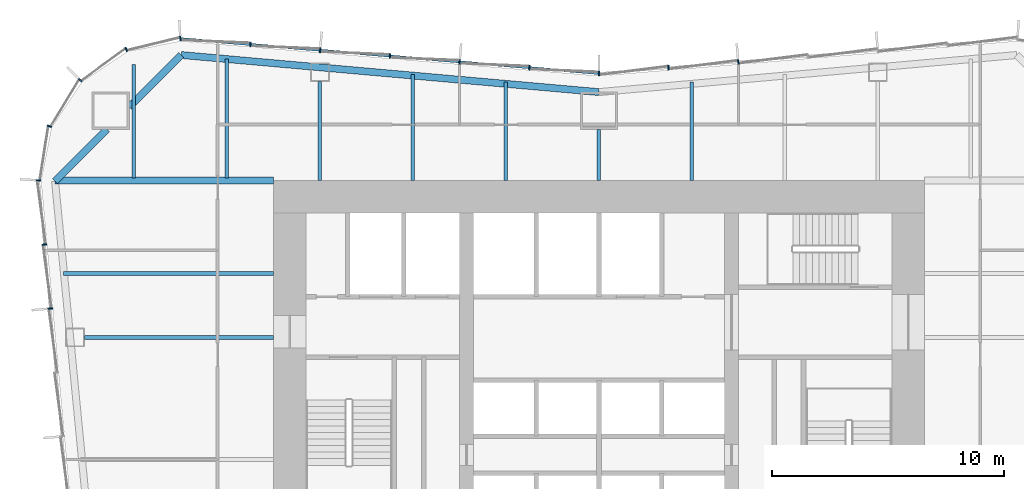
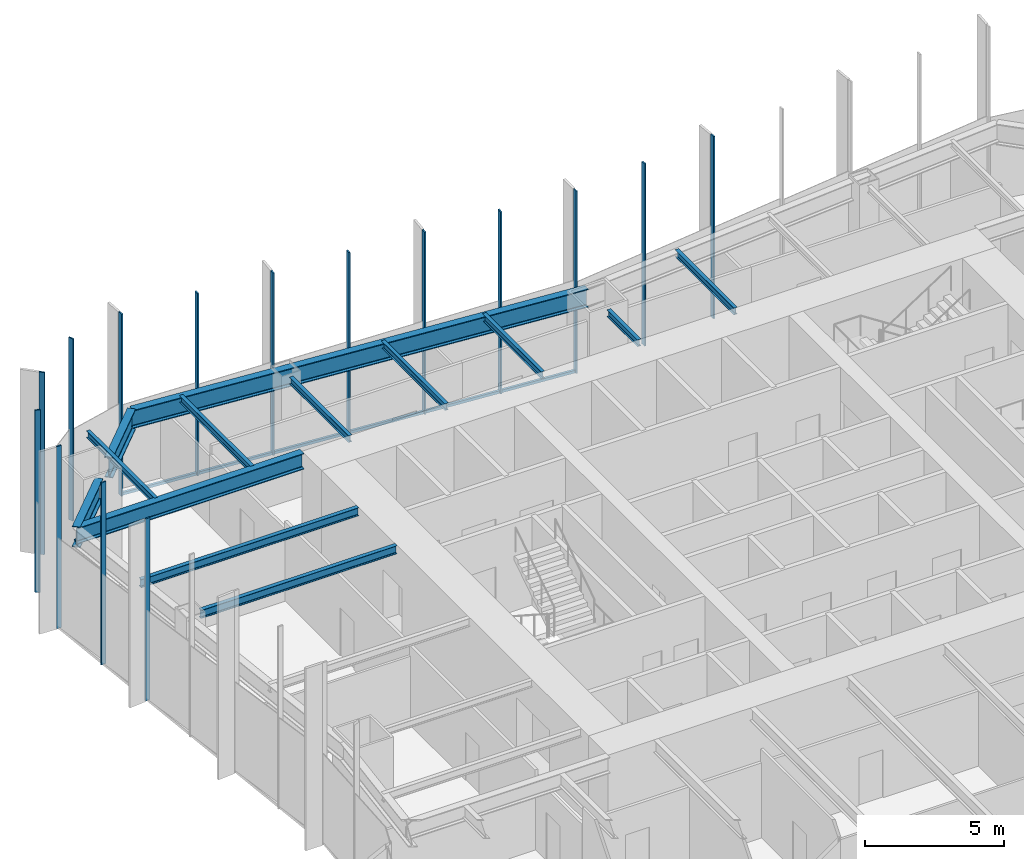
# One storey, part 6 of 13: 16 members, 13 beams, 3 elements without a shape of their own.
"""IFC4 building model written with IfcOpenShell, lengths in metres."""

import ifcopenshell
import ifcopenshell.guid

model = None  # the IFC model being written
_history = None  # IfcOwnerHistory: only IFC2X3 demands one
_inside = {}  # id of a spatial element -> (the spatial element, [elements in it])
_under = {}  # id of a project, library or spatial element -> (it, [spatial elements below it])
_declared = {}  # id of a project -> (the project, [libraries it declares])
_typed = {}  # id of a type object -> (the type object, [elements of that type])
_made_of = {}  # id of a material, layer set ... -> (it, [elements and type objects made of it])


def new_model(schema):
    """Start an empty IFC model of exactly this schema.

    Asked for "IFC4X3", IfcOpenShell would pick the latest addendum, in which some entities
    have other attributes; the version numbers below select the first issue.
    IFC2X3 requires an IfcOwnerHistory on every rooted entity: one is made here for all.
    """
    global model, _history
    if schema == "IFC4X3":
        model = ifcopenshell.file(schema_version=(4, 3, 0, 0))
    else:
        model = ifcopenshell.file(schema=schema)
    _inside.clear()
    _under.clear()
    _declared.clear()
    _typed.clear()
    _made_of.clear()
    _history = None
    if model.schema == "IFC2X3":
        org = make("IfcOrganization", Name="unknown")
        user = make(
            "IfcPersonAndOrganization",
            ThePerson=make("IfcPerson", FamilyName="unknown"),
            TheOrganization=org,
        )
        app = make(
            "IfcApplication",
            ApplicationDeveloper=org,
            Version="unknown",
            ApplicationFullName="unknown",
            ApplicationIdentifier="unknown",
        )
        _history = make(
            "IfcOwnerHistory",
            OwningUser=user,
            OwningApplication=app,
            ChangeAction="ADDED",
            CreationDate=0,
        )
    return model


def make(cls, **values):
    """One entity of the class cls with the attributes given. An attribute that is None is left unset."""
    return model.create_entity(
        cls, **{name: value for name, value in values.items() if value is not None}
    )


def rooted(cls, **values):
    """An entity with a GlobalId (a new one), such as an element, a storey or a relation."""
    return make(cls, GlobalId=ifcopenshell.guid.new(), OwnerHistory=_history, **values)


def si_unit(unit_type, name, prefix=None):
    """IfcSIUnit, for example si_unit("LENGTHUNIT", "METRE", prefix="MILLI")."""
    return make("IfcSIUnit", UnitType=unit_type, Prefix=prefix, Name=name)


def assignment(units):
    """IfcUnitAssignment: the units of a project."""
    return None if units is None else make("IfcUnitAssignment", Units=units)


def point(xyz):
    """IfcCartesianPoint."""
    return None if xyz is None else make("IfcCartesianPoint", Coordinates=xyz)


def direction(xyz):
    """IfcDirection."""
    return None if xyz is None else make("IfcDirection", DirectionRatios=xyz)


def frame(location, z_axis=None, x_axis=None):
    """IfcAxis2Placement3D, a coordinate frame: its origin and axes. An axis left out is left unset."""
    return make(
        "IfcAxis2Placement3D",
        Location=point(location),
        Axis=direction(z_axis),
        RefDirection=direction(x_axis),
    )


def frame_2d(location, x_axis=None):
    """IfcAxis2Placement2D, a coordinate frame in the plane: its origin and x axis."""
    return make(
        "IfcAxis2Placement2D", Location=point(location), RefDirection=direction(x_axis)
    )


def origin():
    """The frame at (0, 0, 0) with its axes left unset."""
    return frame((0.0, 0.0, 0.0))


def origin_2d():
    """The frame at (0, 0) in the plane with its x axis left unset."""
    return frame_2d((0.0, 0.0))


def place(relative_to, where):
    """IfcLocalPlacement: puts the frame where relative to a parent placement (None: the world)."""
    return make(
        "IfcLocalPlacement", PlacementRelTo=relative_to, RelativePlacement=where
    )


def context(
    kind, dimensions, precision=None, world=None, true_north=None, identifier=None
):
    """IfcGeometricRepresentationContext, for example the 3D "Model" context."""
    return make(
        "IfcGeometricRepresentationContext",
        ContextIdentifier=identifier,
        ContextType=kind,
        CoordinateSpaceDimension=dimensions,
        Precision=precision,
        WorldCoordinateSystem=world,
        TrueNorth=true_north,
    )


def subcontext(parent, identifier, kind, view, scale=None):
    """IfcGeometricRepresentationSubContext, for example "Body" below "Model"."""
    return make(
        "IfcGeometricRepresentationSubContext",
        ContextIdentifier=identifier,
        ContextType=kind,
        ParentContext=parent,
        TargetScale=scale,
        TargetView=view,
    )


def project(units=None, contexts=None):
    """IfcProject with its units and contexts."""
    return rooted(
        "IfcProject",
        Name="project",
        RepresentationContexts=contexts,
        UnitsInContext=assignment(units),
    )


def spatial(cls, under=None, at=None, **own):
    """A site, building, storey or space (cls), placed at a placement, below another one or the project."""
    s = rooted(cls, ObjectPlacement=at, **own)
    if under is not None:
        _under.setdefault(under.id(), (under, []))[1].append(s)
    return s


def profile(cls, at=None, kind="AREA", **sizes):
    """A parametric profile (cls). Its sizes go by their IFC names, for example OverallWidth=200.0."""
    return make(cls, ProfileType=kind, Position=at, **sizes)


def rectangle(**sizes):
    """IfcRectangleProfileDef."""
    return profile("IfcRectangleProfileDef", **sizes)


def i_section(**sizes):
    """IfcIShapeProfileDef."""
    return profile("IfcIShapeProfileDef", **sizes)


def extrude(swept, where, along, depth):
    """IfcExtrudedAreaSolid: the profile swept, set in the frame where, extruded along a direction by depth."""
    return make(
        "IfcExtrudedAreaSolid",
        SweptArea=swept,
        Position=where,
        ExtrudedDirection=direction(along),
        Depth=depth,
    )


def shape(context_of_items, identifier, shape_type, items):
    """IfcShapeRepresentation: the items that make up one representation, for example the "Body"."""
    return make(
        "IfcShapeRepresentation",
        ContextOfItems=context_of_items,
        RepresentationIdentifier=identifier,
        RepresentationType=shape_type,
        Items=items,
    )


def material(Name=None, Category=None):
    """IfcMaterial."""
    return make("IfcMaterial", Name=Name, Category=Category)


def material_profile(
    of_material, cross_section, Name=None, Category=None, Priority=None
):
    """IfcMaterialProfile: a cross section and its material."""
    return make(
        "IfcMaterialProfile",
        Name=Name,
        Material=of_material,
        Profile=cross_section,
        Priority=Priority,
        Category=Category,
    )


def profile_set(profiles, Name=None, composite=None):
    """IfcMaterialProfileSet."""
    return make(
        "IfcMaterialProfileSet",
        Name=Name,
        MaterialProfiles=profiles,
        CompositeProfile=composite,
    )


def made_of(thing, what):
    """Note that an element or type object is made of a material, layer set ...; save() writes the relation."""
    if what is not None:
        _made_of.setdefault(what.id(), (what, []))[1].append(thing)
    return thing


def type_object(cls, material=None, **own):
    """A type object (cls), such as IfcWallType, which elements share."""
    return made_of(rooted(cls, **own), material)


def element(
    cls,
    number,
    at=None,
    inside=None,
    cuts=None,
    type_object=None,
    material=None,
    context=None,
    identifier="Body",
    shape_type=None,
    held_by="IfcProductDefinitionShape",
    body=None,
    shapes=None,
    **own,
):
    """One element of the class cls, such as IfcWall. Its Tag is "e" and its number.

    at: its placement. inside: the storey or other place that contains it. cuts: it is an
    opening in that element (IfcRelVoidsElement). A single representation is given by context,
    identifier, shape_type and body (its items); several are given by shapes. held_by: the class
    of the entity that holds the representations. save() writes the other relations.
    """
    e = rooted(cls, Tag="e%d" % number, ObjectPlacement=at, **own)
    if body is not None:
        shapes = [shape(context, identifier, shape_type, body)]
    if shapes is not None:
        e.Representation = make(held_by, Representations=shapes)
    if inside is not None:
        _inside.setdefault(inside.id(), (inside, []))[1].append(e)
    if cuts is not None:
        rooted(
            "IfcRelVoidsElement", RelatingBuildingElement=cuts, RelatedOpeningElement=e
        )
    if type_object is not None:
        _typed.setdefault(type_object.id(), (type_object, []))[1].append(e)
    return made_of(e, material)


def aggregate(whole, parts):
    """IfcRelAggregates: a whole, such as a stair, and the parts it consists of."""
    return rooted("IfcRelAggregates", RelatingObject=whole, RelatedObjects=parts)


def save(model, path):
    """Write the relations noted so far, then the file.

    IfcRelAggregates (storeys below a building ...), IfcRelContainedInSpatialStructure (elements
    in a storey), IfcRelDefinesByType, IfcRelAssociatesMaterial and IfcRelDeclares: one each for
    every whole, place, type object, material and project.
    """
    for whole, parts in _under.values():
        aggregate(whole, parts)
    for where, things in _inside.values():
        rooted(
            "IfcRelContainedInSpatialStructure",
            RelatedElements=things,
            RelatingStructure=where,
        )
    for kind, things in _typed.values():
        rooted("IfcRelDefinesByType", RelatedObjects=things, RelatingType=kind)
    for what, things in _made_of.values():
        rooted("IfcRelAssociatesMaterial", RelatedObjects=things, RelatingMaterial=what)
    for by, libraries in _declared.values():
        rooted("IfcRelDeclares", RelatingContext=by, RelatedDefinitions=libraries)
    model.write(path)


model = new_model("IFC4")

# Units and contexts
model_context = context("Model", 3, precision=1e-05, world=origin(), true_north=direction((0.0, 1.0)))
body_context = subcontext(model_context, "Body", "Model", "MODEL_VIEW")
ifc_project = project(units=[si_unit("LENGTHUNIT", "METRE"), si_unit("AREAUNIT", "SQUARE_METRE"), si_unit("VOLUMEUNIT", "CUBIC_METRE"), si_unit("PLANEANGLEUNIT", "RADIAN"), si_unit("MASSUNIT", "GRAM", prefix="KILO")], contexts=[model_context])

# Site, building, storey
site_placement = place(None, origin())
site = spatial("IfcSite", under=ifc_project, at=site_placement, CompositionType="ELEMENT")
building_placement = place(site_placement, origin())
building = spatial("IfcBuilding", under=site, at=building_placement, Name="Verdant Reach Tower", CompositionType="ELEMENT")
storey_placement = place(building_placement, frame((0.0, 0.0, 50.0)))
storey = spatial("IfcBuildingStorey", under=building, at=storey_placement, Name="L11", CompositionType="ELEMENT", Elevation=50.0)

# Curtain wall, members
ifc_material_1 = material(Name="Anodised aluminium", Category="aluminium")
curtain_wall_type = type_object("IfcCurtainWallType", Name="EN-CW SYSTEM Z0", PredefinedType="NOTDEFINED", material=ifc_material_1)
curtain_wall_1_placement = place(storey_placement, origin())
curtain_wall_1 = element("IfcCurtainWall", 1, at=curtain_wall_1_placement, inside=storey, type_object=curtain_wall_type, Name="Curtain wall north, L11", PredefinedType="NOTDEFINED")
ifc_material_profile_1 = material_profile(ifc_material_1, rectangle(XDim=0.199951171875, YDim=0.06005859375, at=origin_2d()), Name="Mullion 60x200")
ifc_profile_set_1 = profile_set([ifc_material_profile_1], Name="Anodised aluminium")
member_type_1 = type_object("IfcMemberType", Name="EN-MULLION Z0", PredefinedType="MULLION", material=ifc_profile_set_1)
member_1_placement = place(storey_placement, frame((5.99169921875, 44.099609375, -0.35009765625), z_axis=(0.0, 0.0, 1.0), x_axis=(-0.083045479859, 0.996545758244, 0.0)))
member_1 = element("IfcMember", 2, at=member_1_placement, type_object=member_type_1, Name="Mullion north face part 1 5, L11", PredefinedType="MULLION", context=body_context, shape_type="SweptSolid", body=[
    extrude(rectangle(XDim=0.199951171875, YDim=0.06005859375, at=origin_2d()), origin(), (0.0, 0.0, 1.0), 8.0),
])
member_2_placement = place(storey_placement, frame((2.99169921875, 43.849609375, -0.35009765625), z_axis=(0.0, 0.0, 1.0), x_axis=(-0.083045479859, 0.996545758244, 0.0)))
member_2 = element("IfcMember", 3, at=member_2_placement, type_object=member_type_1, Name="Mullion north face part 1 6, L11", PredefinedType="MULLION", context=body_context, shape_type="SweptSolid", body=[
    extrude(rectangle(XDim=0.199951171875, YDim=0.06005859375, at=origin_2d()), origin(), (0.0, 0.0, 1.0), 8.0),
])
member_3_placement = place(storey_placement, frame((0.0, 43.60009765625, -0.35009765625), z_axis=(0.0, 0.0, 1.0), x_axis=(0.0, 1.0, 0.0)))
member_3 = element("IfcMember", 4, at=member_3_placement, type_object=member_type_1, Name="Mullion north face part 2 1, L11", PredefinedType="MULLION", context=body_context, shape_type="SweptSolid", body=[
    extrude(rectangle(XDim=0.199951171875, YDim=0.06005859375, at=origin_2d()), origin(), (0.0, 0.0, 1.0), 8.0),
])
member_4_placement = place(storey_placement, frame((-2.99169921875, 43.849609375, -0.35009765625), z_axis=(0.0, 0.0, 1.0), x_axis=(0.083045479859, 0.996545758244, 0.0)))
member_4 = element("IfcMember", 5, at=member_4_placement, type_object=member_type_1, Name="Mullion north face part 2 2, L11", PredefinedType="MULLION", context=body_context, shape_type="SweptSolid", body=[
    extrude(rectangle(XDim=0.199951171875, YDim=0.06005859375, at=origin_2d()), origin(), (0.0, 0.0, 1.0), 8.0),
])
member_5_placement = place(storey_placement, frame((-5.99169921875, 44.099609375, -0.35009765625), z_axis=(0.0, 0.0, 1.0), x_axis=(0.083045479859, 0.996545758244, 0.0)))
member_5 = element("IfcMember", 6, at=member_5_placement, type_object=member_type_1, Name="Mullion north face part 2 3, L11", PredefinedType="MULLION", context=body_context, shape_type="SweptSolid", body=[
    extrude(rectangle(XDim=0.199951171875, YDim=0.06005859375, at=origin_2d()), origin(), (0.0, 0.0, 1.0), 8.0),
])
member_6_placement = place(storey_placement, frame((-8.99169921875, 44.349609375, -0.35009765625), z_axis=(0.0, 0.0, 1.0), x_axis=(0.083045479859, 0.996545758244, 0.0)))
member_6 = element("IfcMember", 7, at=member_6_placement, type_object=member_type_1, Name="Mullion north face part 2 4, L11", PredefinedType="MULLION", context=body_context, shape_type="SweptSolid", body=[
    extrude(rectangle(XDim=0.199951171875, YDim=0.06005859375, at=origin_2d()), origin(), (0.0, 0.0, 1.0), 8.0),
])
member_7_placement = place(storey_placement, frame((-11.99169921875, 44.599609375, -0.35009765625), z_axis=(0.0, 0.0, 1.0), x_axis=(0.083045479859, 0.996545758244, 0.0)))
member_7 = element("IfcMember", 8, at=member_7_placement, type_object=member_type_1, Name="Mullion north face part 2 5, L11", PredefinedType="MULLION", context=body_context, shape_type="SweptSolid", body=[
    extrude(rectangle(XDim=0.199951171875, YDim=0.06005859375, at=origin_2d()), origin(), (0.0, 0.0, 1.0), 8.0),
])
member_8_placement = place(storey_placement, frame((-14.99169921875, 44.849609375, -0.35009765625), z_axis=(0.0, 0.0, 1.0), x_axis=(0.083045479859, 0.996545758244, 0.0)))
member_8 = element("IfcMember", 9, at=member_8_placement, type_object=member_type_1, Name="Mullion north face part 2 6, L11", PredefinedType="MULLION", context=body_context, shape_type="SweptSolid", body=[
    extrude(rectangle(XDim=0.199951171875, YDim=0.06005859375, at=origin_2d()), origin(), (0.0, 0.0, 1.0), 8.0),
])

curtain_wall_2_placement = place(storey_placement, origin())
curtain_wall_2 = element("IfcCurtainWall", 10, at=curtain_wall_2_placement, inside=storey, type_object=curtain_wall_type, Name="Curtain wall north-west corner, L11", PredefinedType="NOTDEFINED")
member_9_placement = place(storey_placement, frame((-18.005615234375, 45.099853515625, -0.35009765625), z_axis=(0.0, 0.0, 1.0), x_axis=(-0.056569187765, 0.998398681387, 0.0)))
member_9 = element("IfcMember", 11, at=member_9_placement, type_object=member_type_1, Name="Mullion north-west corner 1, L11", PredefinedType="MULLION", context=body_context, shape_type="SweptSolid", body=[
    extrude(rectangle(XDim=0.199951171875, YDim=0.06005859375, at=origin_2d()), origin(), (0.0, 0.0, 1.0), 8.0),
])
member_10_placement = place(storey_placement, frame((-20.33447265625, 44.6357421875, -0.35009765625), z_axis=(0.0, 0.0, 1.0), x_axis=(-0.382693853776, 0.923875215753, 0.0)))
member_10 = element("IfcMember", 12, at=member_10_placement, type_object=member_type_1, Name="Mullion north-west corner 2, L11", PredefinedType="MULLION", context=body_context, shape_type="SweptSolid", body=[
    extrude(rectangle(XDim=0.199951171875, YDim=0.06005859375, at=origin_2d()), origin(), (0.0, 0.0, 1.0), 8.0),
])
member_11_placement = place(storey_placement, frame((-22.313232421875, 43.313232421875, -0.35009765625), z_axis=(0.0, 0.0, 1.0), x_axis=(-0.707106781187, 0.707106781187, 0.0)))
member_11 = element("IfcMember", 13, at=member_11_placement, type_object=member_type_1, Name="Mullion north-west corner 3, L11", PredefinedType="MULLION", context=body_context, shape_type="SweptSolid", body=[
    extrude(rectangle(XDim=0.199951171875, YDim=0.06005859375, at=origin_2d()), origin(), (0.0, 0.0, 1.0), 8.0),
])
member_12_placement = place(storey_placement, frame((-23.6357421875, 41.33447265625, -0.35009765625), z_axis=(0.0, 0.0, 1.0), x_axis=(-0.923875215753, 0.382693853776, 0.0)))
member_12 = element("IfcMember", 14, at=member_12_placement, type_object=member_type_1, Name="Mullion north-west corner 4, L11", PredefinedType="MULLION", context=body_context, shape_type="SweptSolid", body=[
    extrude(rectangle(XDim=0.199951171875, YDim=0.06005859375, at=origin_2d()), origin(), (0.0, 0.0, 1.0), 8.0),
])
aggregate(curtain_wall_2, [member_9, member_10, member_11, member_12])

curtain_wall_3_placement = place(storey_placement, origin())
curtain_wall_3 = element("IfcCurtainWall", 15, at=curtain_wall_3_placement, inside=storey, type_object=curtain_wall_type, Name="Curtain wall west, L11", PredefinedType="NOTDEFINED")
member_13_placement = place(storey_placement, frame((-24.099853515625, 39.00537109375, -0.35009765625), z_axis=(0.0, 0.0, 1.0), x_axis=(-0.998604288049, 0.052815489107, 0.0)))
member_13 = element("IfcMember", 16, at=member_13_placement, type_object=member_type_1, Name="Mullion west face part 1 1, L11", PredefinedType="MULLION", context=body_context, shape_type="SweptSolid", body=[
    extrude(rectangle(XDim=0.199951171875, YDim=0.06005859375, at=origin_2d()), origin(), (0.0, 0.0, 1.0), 8.0),
])
member_14_placement = place(storey_placement, frame((-23.849609375, 36.240966796875, -0.35009765625), z_axis=(0.0, 0.0, 1.0), x_axis=(-0.995893206467, -0.090535746047, 0.0)))
member_14 = element("IfcMember", 17, at=member_14_placement, type_object=member_type_1, Name="Mullion west face part 1 2, L11", PredefinedType="MULLION", context=body_context, shape_type="SweptSolid", body=[
    extrude(rectangle(XDim=0.199951171875, YDim=0.06005859375, at=origin_2d()), origin(), (0.0, 0.0, 1.0), 8.0),
])
member_15_placement = place(storey_placement, frame((-23.599609375, 33.490966796875, -0.35009765625), z_axis=(0.0, 0.0, 1.0), x_axis=(-0.995893206467, -0.090535746047, 0.0)))
member_15 = element("IfcMember", 18, at=member_15_placement, type_object=member_type_1, Name="Mullion west face part 1 3, L11", PredefinedType="MULLION", context=body_context, shape_type="SweptSolid", body=[
    extrude(rectangle(XDim=0.199951171875, YDim=0.06005859375, at=origin_2d()), origin(), (0.0, 0.0, 1.0), 8.0),
])
aggregate(curtain_wall_3, [member_13, member_14, member_15])

# Member
ifc_material_profile_2 = material_profile(ifc_material_1, rectangle(XDim=0.10009765625, YDim=0.1201171875, at=origin_2d()), Name="Transom 120x100")
ifc_profile_set_2 = profile_set([ifc_material_profile_2], Name="Anodised aluminium")
member_type_2 = type_object("IfcMemberType", Name="EN-TRANSOM Z0", PredefinedType="USERDEFINED", material=ifc_profile_set_2)
member_16_placement = place(storey_placement, frame((-0.02978515625, 43.6025390625, -0.2900390625), z_axis=(-0.996548656072, 0.083010698588, 0.0), x_axis=(-0.083010698588, -0.996548656072, 0.0)))
member_16 = element("IfcMember", 19, at=member_16_placement, type_object=member_type_2, Name="Transom north face part 2 1.1, L11", ObjectType="TRANSOM", PredefinedType="USERDEFINED", context=body_context, shape_type="SweptSolid", body=[
    extrude(rectangle(XDim=0.10009765625, YDim=0.1201171875, at=origin_2d()), origin(), (0.0, 0.0, 1.0), 18.00830078125),
])

aggregate(curtain_wall_1, [member_1, member_2, member_3, member_4, member_5, member_6, member_7, member_8, member_16])

# Beams
ifc_material_2 = material(Name="Steel S355", Category="steel")
ifc_material_profile_3 = material_profile(ifc_material_2, i_section(OverallWidth=0.300048828125, OverallDepth=0.699951171875, WebThickness=0.01708984375, FlangeThickness=0.031982421875, FilletRadius=0.027099609375, at=origin_2d()), Name="HEB 700")
ifc_profile_set_3 = profile_set([ifc_material_profile_3], Name="Steel S355")
beam_type_1 = type_object("IfcBeamType", Name="ST-BEAM-HEB700", PredefinedType="BEAM", material=ifc_profile_set_3)
beam_1_placement = place(storey_placement, frame((-14.0, 39.0, 3.52001953125), z_axis=(-1.0, 0.0, 0.0), x_axis=(0.0, -1.0, 0.0)))
element("IfcBeam", 20, at=beam_1_placement, inside=storey, type_object=beam_type_1, Name="Trimmer beam, L11", PredefinedType="BEAM", context=body_context, shape_type="SweptSolid", body=[
    extrude(i_section(OverallWidth=0.300048828125, OverallDepth=0.699951171875, WebThickness=0.01708984375, FlangeThickness=0.031982421875, FilletRadius=0.027099609375, at=origin_2d()), origin(), (0.0, 0.0, 1.0), 9.38818359375),
])
ifc_material_profile_4 = material_profile(ifc_material_2, i_section(OverallWidth=0.14990234375, OverallDepth=0.300048828125, WebThickness=0.007080078125, FlangeThickness=0.0107421875, FilletRadius=0.014892578125, at=origin_2d()), Name="IPE 300")
ifc_profile_set_4 = profile_set([ifc_material_profile_4], Name="Steel S355")
beam_type_2 = type_object("IfcBeamType", Name="ST-JOIST-IPE300", PredefinedType="JOIST", material=ifc_profile_set_4)
beam_2_placement = place(storey_placement, frame((-20.0, 39.10009765625, 3.719970703125), z_axis=(0.0, 1.0, 0.0), x_axis=(-1.0, 0.0, 0.0)))
element("IfcBeam", 21, at=beam_2_placement, inside=storey, type_object=beam_type_2, Name="Floor joist, L11", PredefinedType="JOIST", context=body_context, shape_type="SweptSolid", body=[
    extrude(i_section(OverallWidth=0.14990234375, OverallDepth=0.300048828125, WebThickness=0.007080078125, FlangeThickness=0.0107421875, FilletRadius=0.014892578125, at=origin_2d()), origin(), (0.0, 0.0, 1.0), 4.890380859375),
])
beam_3_placement = place(storey_placement, frame((-16.0, 39.10009765625, 3.719970703125), z_axis=(0.0, 1.0, 0.0), x_axis=(-1.0, 0.0, 0.0)))
element("IfcBeam", 22, at=beam_3_placement, inside=storey, type_object=beam_type_2, Name="Floor joist, L11", PredefinedType="JOIST", context=body_context, shape_type="SweptSolid", body=[
    extrude(i_section(OverallWidth=0.14990234375, OverallDepth=0.300048828125, WebThickness=0.007080078125, FlangeThickness=0.0107421875, FilletRadius=0.014892578125, at=origin_2d()), origin(), (0.0, 0.0, 1.0), 5.131103515625),
])
beam_4_placement = place(storey_placement, frame((-12.0, 39.0, 3.719970703125), z_axis=(0.0, 1.0, 0.0), x_axis=(-1.0, 0.0, 0.0)))
element("IfcBeam", 23, at=beam_4_placement, inside=storey, type_object=beam_type_2, Name="Floor joist, L11", PredefinedType="JOIST", context=body_context, shape_type="SweptSolid", body=[
    extrude(i_section(OverallWidth=0.14990234375, OverallDepth=0.300048828125, WebThickness=0.007080078125, FlangeThickness=0.0107421875, FilletRadius=0.014892578125, at=origin_2d()), origin(), (0.0, 0.0, 1.0), 4.25),
])
beam_5_placement = place(storey_placement, frame((-8.0, 39.0, 3.719970703125), z_axis=(0.0, 1.0, 0.0), x_axis=(-1.0, 0.0, 0.0)))
element("IfcBeam", 24, at=beam_5_placement, inside=storey, type_object=beam_type_2, Name="Floor joist, L11", PredefinedType="JOIST", context=body_context, shape_type="SweptSolid", body=[
    extrude(i_section(OverallWidth=0.14990234375, OverallDepth=0.300048828125, WebThickness=0.007080078125, FlangeThickness=0.0107421875, FilletRadius=0.014892578125, at=origin_2d()), origin(), (0.0, 0.0, 1.0), 4.564697265625),
])
beam_6_placement = place(storey_placement, frame((-4.0, 39.0, 3.719970703125), z_axis=(0.0, 1.0, 0.0), x_axis=(-1.0, 0.0, 0.0)))
element("IfcBeam", 25, at=beam_6_placement, inside=storey, type_object=beam_type_2, Name="Floor joist, L11", PredefinedType="JOIST", context=body_context, shape_type="SweptSolid", body=[
    extrude(i_section(OverallWidth=0.14990234375, OverallDepth=0.300048828125, WebThickness=0.007080078125, FlangeThickness=0.0107421875, FilletRadius=0.014892578125, at=origin_2d()), origin(), (0.0, 0.0, 1.0), 4.231201171875),
])
beam_7_placement = place(storey_placement, frame((0.0, 39.0, 3.719970703125), z_axis=(0.0, 1.0, 0.0), x_axis=(-1.0, 0.0, 0.0)))
element("IfcBeam", 26, at=beam_7_placement, inside=storey, type_object=beam_type_2, Name="Floor joist, L11", PredefinedType="JOIST", context=body_context, shape_type="SweptSolid", body=[
    extrude(i_section(OverallWidth=0.14990234375, OverallDepth=0.300048828125, WebThickness=0.007080078125, FlangeThickness=0.0107421875, FilletRadius=0.014892578125, at=origin_2d()), origin(), (0.0, 0.0, 1.0), 2.199951171875),
])
beam_8_placement = place(storey_placement, frame((4.0, 39.0, 3.719970703125), z_axis=(0.0, 1.0, 0.0), x_axis=(-1.0, 0.0, 0.0)))
element("IfcBeam", 27, at=beam_8_placement, inside=storey, type_object=beam_type_2, Name="Floor joist, L11", PredefinedType="JOIST", context=body_context, shape_type="SweptSolid", body=[
    extrude(i_section(OverallWidth=0.14990234375, OverallDepth=0.300048828125, WebThickness=0.007080078125, FlangeThickness=0.0107421875, FilletRadius=0.014892578125, at=origin_2d()), origin(), (0.0, 0.0, 1.0), 4.231201171875),
])
ifc_material_profile_5 = material_profile(ifc_material_2, i_section(OverallWidth=0.169921875, OverallDepth=0.360107421875, WebThickness=0.008056640625, FlangeThickness=0.0126953125, FilletRadius=0.01806640625, at=origin_2d()), Name="IPE 360")
ifc_profile_set_5 = profile_set([ifc_material_profile_5], Name="Steel S355")
beam_type_3 = type_object("IfcBeamType", Name="ST-JOIST-IPE360", PredefinedType="JOIST", material=ifc_profile_set_5)
beam_9_placement = place(storey_placement, frame((-14.0, 32.25, 3.68994140625), z_axis=(-1.0, 0.0, 0.0), x_axis=(0.0, -1.0, 0.0)))
element("IfcBeam", 28, at=beam_9_placement, inside=storey, type_object=beam_type_3, Name="Floor joist, L11", PredefinedType="JOIST", context=body_context, shape_type="SweptSolid", body=[
    extrude(i_section(OverallWidth=0.169921875, OverallDepth=0.360107421875, WebThickness=0.008056640625, FlangeThickness=0.0126953125, FilletRadius=0.01806640625, at=origin_2d()), origin(), (0.0, 0.0, 1.0), 8.136474609375),
])
beam_10_placement = place(storey_placement, frame((-14.0, 35.0, 3.68994140625), z_axis=(-1.0, 0.0, 0.0), x_axis=(0.0, -1.0, 0.0)))
element("IfcBeam", 29, at=beam_10_placement, inside=storey, type_object=beam_type_3, Name="Floor joist, L11", PredefinedType="JOIST", context=body_context, shape_type="SweptSolid", body=[
    extrude(i_section(OverallWidth=0.169921875, OverallDepth=0.360107421875, WebThickness=0.008056640625, FlangeThickness=0.0126953125, FilletRadius=0.01806640625, at=origin_2d()), origin(), (0.0, 0.0, 1.0), 9.033935546875),
])
ifc_material_profile_6 = material_profile(ifc_material_2, i_section(OverallWidth=0.300048828125, OverallDepth=0.800048828125, WebThickness=0.017578125, FlangeThickness=0.032958984375, FilletRadius=0.030029296875, at=origin_2d()), Name="HEB 800")
ifc_profile_set_6 = profile_set([ifc_material_profile_6], Name="Steel S355")
beam_type_4 = type_object("IfcBeamType", Name="ST-SPANDREL-HEB800", PredefinedType="SPANDREL", material=ifc_profile_set_6)
beam_11_placement = place(storey_placement, frame((-17.9658203125, 44.39501953125, 3.469970703125), z_axis=(0.996082370463, -0.088430262084, 0.0), x_axis=(0.088430262084, 0.996082370463, 0.0)))
element("IfcBeam", 30, at=beam_11_placement, inside=storey, type_object=beam_type_4, Name="Edge beam, L11", PredefinedType="SPANDREL", context=body_context, shape_type="SweptSolid", body=[
    extrude(i_section(OverallWidth=0.300048828125, OverallDepth=0.800048828125, WebThickness=0.017578125, FlangeThickness=0.032958984375, FilletRadius=0.030029296875, at=origin_2d()), origin(), (0.0, 0.0, 1.0), 18.036376953125),
])
ifc_material_profile_7 = material_profile(ifc_material_2, i_section(OverallWidth=0.302001953125, OverallDepth=0.909912109375, WebThickness=0.02099609375, FlangeThickness=0.0400390625, FilletRadius=0.030029296875, at=origin_2d()), Name="HEM 900")
ifc_profile_set_7 = profile_set([ifc_material_profile_7], Name="Steel S355")
beam_type_5 = type_object("IfcBeamType", Name="ST-SPANDREL-HEM900", PredefinedType="SPANDREL", material=ifc_profile_set_7)
beam_12_placement = place(storey_placement, frame((-23.39453125, 38.968017578125, 3.4150390625), z_axis=(0.70722277322, 0.706990770123, 0.0), x_axis=(-0.706990770123, 0.70722277322, 0.0)))
element("IfcBeam", 31, at=beam_12_placement, inside=storey, type_object=beam_type_5, Name="Edge beam, L11", PredefinedType="SPANDREL", context=body_context, shape_type="SweptSolid", body=[
    extrude(i_section(OverallWidth=0.302001953125, OverallDepth=0.909912109375, WebThickness=0.02099609375, FlangeThickness=0.0400390625, FilletRadius=0.030029296875, at=origin_2d()), origin(), (0.0, 0.0, 1.0), 3.156982421875),
])
beam_13_placement = place(storey_placement, frame((-20.199951171875, 42.16162109375, 3.4150390625), z_axis=(0.707222697162, 0.706990846206, 0.0), x_axis=(-0.706990846206, 0.707222697162, 0.0)))
element("IfcBeam", 32, at=beam_13_placement, inside=storey, type_object=beam_type_5, Name="Edge beam, L11", PredefinedType="SPANDREL", context=body_context, shape_type="SweptSolid", body=[
    extrude(i_section(OverallWidth=0.302001953125, OverallDepth=0.909912109375, WebThickness=0.02099609375, FlangeThickness=0.0400390625, FilletRadius=0.030029296875, at=origin_2d()), origin(), (0.0, 0.0, 1.0), 3.158935546875),
])

save(model, "model.ifc")
